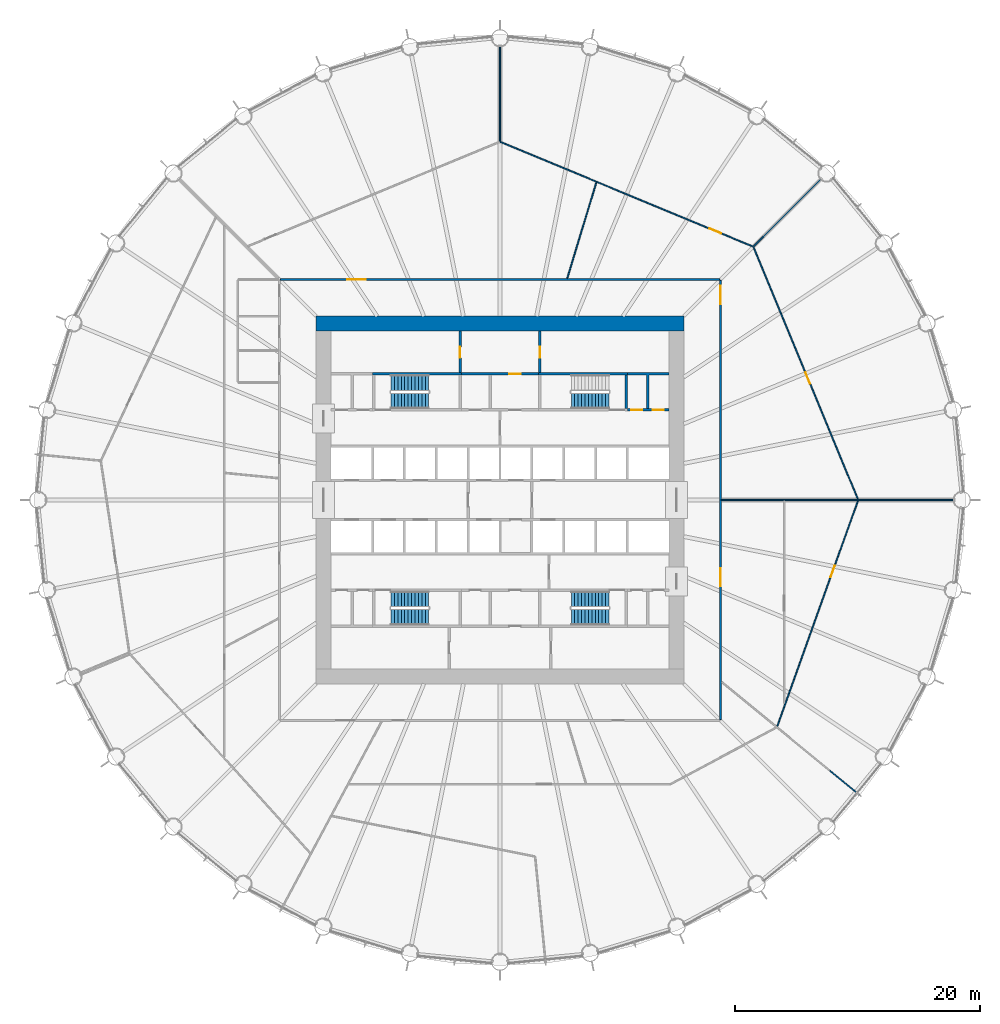
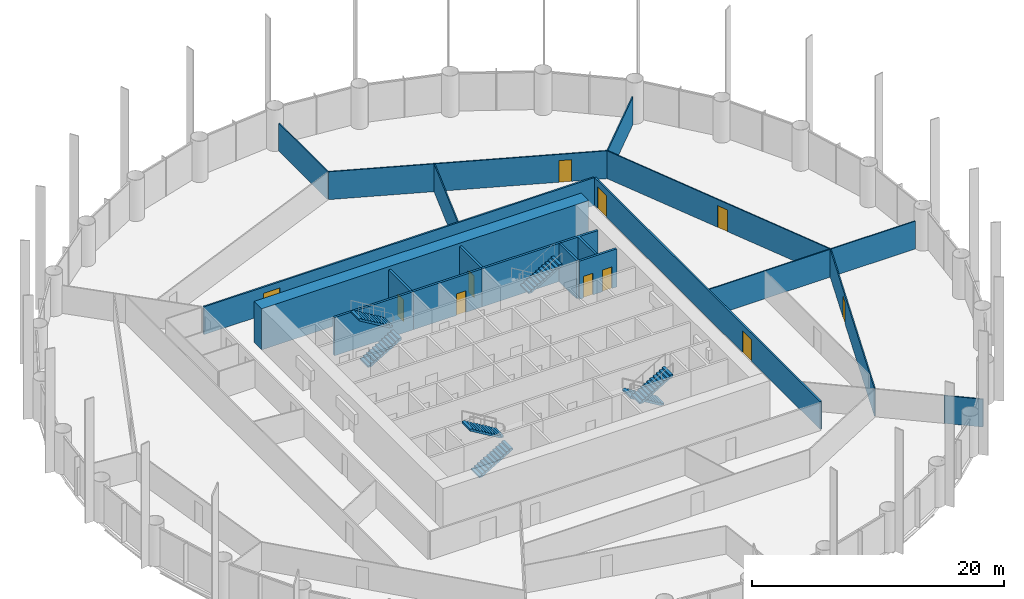
# One storey, part 12 of 15: 19 walls, 11 doors, 7 stair flights, 11 openings, 4 elements without a shape of their own.
"""IFC4 building model written with IfcOpenShell, lengths in metres."""

from ifc_helpers import new_model, si_unit, direction, frame, frame_2d, origin, place, context, subcontext, project, spatial, polyline, rectangle, outline, extrude, material, layer, layer_set, type_object, element, fill, aggregate, save


model = new_model("IFC4")

# Units and contexts
model_context = context("Model", 3, precision=1e-05, world=origin(), true_north=direction((0.0, 1.0)))
body_context = subcontext(model_context, "Body", "Model", "MODEL_VIEW")
ifc_project = project(units=[si_unit("LENGTHUNIT", "METRE"), si_unit("AREAUNIT", "SQUARE_METRE"), si_unit("VOLUMEUNIT", "CUBIC_METRE"), si_unit("PLANEANGLEUNIT", "RADIAN"), si_unit("MASSUNIT", "GRAM", prefix="KILO")], contexts=[model_context])

# Site, building, storey
site_placement = place(None, origin())
site = spatial("IfcSite", under=ifc_project, at=site_placement, CompositionType="ELEMENT")
building_placement = place(site_placement, origin())
building = spatial("IfcBuilding", under=site, at=building_placement, Name="Corvane Civic Tower", CompositionType="ELEMENT")
storey_placement = place(building_placement, frame((0.0, 0.0, 65.0)))
storey = spatial("IfcBuildingStorey", under=building, at=storey_placement, Name="L14", CompositionType="ELEMENT", Elevation=65.0)

# Wall
ifc_material_1 = material(Name="Concrete C80/95", Category="concrete")
ifc_layer_1 = layer(ifc_material_1, 1.199951171875)
ifc_layer_set_1 = layer_set([ifc_layer_1], Name="Concrete C80/95")
wall_type_1 = type_object("IfcWallType", Name="CORE WALL 1200 C80/95", PredefinedType="SHEAR", material=ifc_layer_set_1)
wall_1_placement = place(storey_placement, frame((-15.0, 14.39990234375, 0.0), z_axis=(0.0, 0.0, 1.0), x_axis=(1.0, 0.0, 0.0)))
element("IfcWall", 1, at=wall_1_placement, inside=storey, type_object=wall_type_1, Name="W-L14-core-N", PredefinedType="SHEAR", context=body_context, shape_type="SweptSolid", body=[
    extrude(rectangle(XDim=30.0, YDim=1.199951171875, at=frame_2d((15.0, 0.0))), origin(), (0.0, 0.0, 1.0), 4.0),
])

# Wall, openings, doors
ifc_material_2 = material(Name="Concrete C30/37", Category="concrete")
ifc_layer_2 = layer(ifc_material_2, 0.199951171875)
ifc_layer_set_2 = layer_set([ifc_layer_2], Name="Concrete C30/37")
wall_type_2 = type_object("IfcWallType", Name="CR-WALL-200", PredefinedType="PARTITIONING", material=ifc_layer_set_2)
wall_2_placement = place(storey_placement, frame((10.39990234375, 7.35009765625, 0.0), z_axis=(0.0, 0.0, 1.0), x_axis=(1.0, 0.0, 0.0)))
wall_2 = element("IfcWall", 2, at=wall_2_placement, inside=storey, type_object=wall_type_2, Name="L14 core partition wall", PredefinedType="PARTITIONING", context=body_context, shape_type="SweptSolid", body=[
    extrude(rectangle(XDim=3.400146484375, YDim=0.199951171875, at=frame_2d((1.7001953125, 0.0))), origin(), (0.0, 0.0, 1.0), 3.699951171875),
])
opening_1_placement = place(wall_2_placement, frame((0.324951171875, 0.0, 0.0)))
opening_1 = element("IfcOpeningElement", 3, at=opening_1_placement, cuts=wall_2, Name="Opening L14.C16", PredefinedType="OPENING", context=body_context, shape_type="SweptSolid", body=[
    extrude(rectangle(XDim=0.89990234375, YDim=2.10009765625, at=frame_2d((0.449951171875, 1.050048828125))), frame((0.0, 0.10986328125, 0.0), z_axis=(0.0, -1.0, 0.0), x_axis=(1.0, 0.0, 0.0)), (0.0, 0.0, 1.0), 0.219970703125),
])
opening_2_placement = place(wall_2_placement, frame((2.074951171875, 0.0, 0.0)))
opening_2 = element("IfcOpeningElement", 4, at=opening_2_placement, cuts=wall_2, Name="Opening L14.C17", PredefinedType="OPENING", context=body_context, shape_type="SweptSolid", body=[
    extrude(rectangle(XDim=0.89990234375, YDim=2.10009765625, at=frame_2d((0.449951171875, 1.050048828125))), frame((0.0, 0.10986328125, 0.0), z_axis=(0.0, -1.0, 0.0), x_axis=(1.0, 0.0, 0.0)), (0.0, 0.0, 1.0), 0.219970703125),
])
ifc_material_3 = material(Name="Steel fire door leaf", Category="steel")
door_type_1 = type_object("IfcDoorType", Name="CR-DOOR-900", OperationType="SINGLE_SWING_LEFT", PredefinedType="DOOR", material=ifc_material_3)
door_1_placement = place(opening_1_placement, origin())
door_1 = element("IfcDoor", 5, at=door_1_placement, inside=storey, type_object=door_type_1, Name="L14 door", OperationType="SINGLE_SWING_LEFT", OverallHeight=2.10009765625, OverallWidth=0.89990234375, PredefinedType="DOOR", context=body_context, shape_type="SweptSolid", body=[
    extrude(rectangle(XDim=0.89990234375, YDim=2.10009765625, at=frame_2d((0.449951171875, 1.050048828125))), frame((0.0, 0.02490234375, 0.0), z_axis=(0.0, -1.0, 0.0), x_axis=(1.0, 0.0, 0.0)), (0.0, 0.0, 1.0), 0.050048828125),
])
fill(opening_1, door_1)
door_2_placement = place(opening_2_placement, origin())
door_2 = element("IfcDoor", 6, at=door_2_placement, inside=storey, type_object=door_type_1, Name="L14 door", OperationType="SINGLE_SWING_LEFT", OverallHeight=2.10009765625, OverallWidth=0.89990234375, PredefinedType="DOOR", context=body_context, shape_type="SweptSolid", body=[
    extrude(rectangle(XDim=0.89990234375, YDim=2.10009765625, at=frame_2d((0.449951171875, 1.050048828125))), frame((0.0, 0.02490234375, 0.0), z_axis=(0.0, -1.0, 0.0), x_axis=(1.0, 0.0, 0.0)), (0.0, 0.0, 1.0), 0.050048828125),
])
fill(opening_2, door_2)

# Wall, opening, door
wall_3_placement = place(storey_placement, frame((-3.14990234375, 10.300048828125, 0.0), z_axis=(0.0, 0.0, 1.0), x_axis=(1.0, 0.0, 0.0)))
wall_3 = element("IfcWall", 7, at=wall_3_placement, inside=storey, type_object=wall_type_2, Name="L14 partition wall", PredefinedType="PARTITIONING", context=body_context, shape_type="SweptSolid", body=[
    extrude(rectangle(XDim=6.2998046875, YDim=0.199951171875, at=frame_2d((3.14990234375, 0.0))), origin(), (0.0, 0.0, 1.0), 3.699951171875),
])
opening_3_placement = place(wall_3_placement, frame((3.925048828125, 0.0, 0.0)))
opening_3 = element("IfcOpeningElement", 8, at=opening_3_placement, cuts=wall_3, Name="Opening L14.C07", PredefinedType="OPENING", context=body_context, shape_type="SweptSolid", body=[
    extrude(rectangle(XDim=0.89990234375, YDim=2.10009765625, at=frame_2d((0.449951171875, 1.050048828125))), frame((0.0, 0.10986328125, 0.0), z_axis=(0.0, -1.0, 0.0), x_axis=(1.0, 0.0, 0.0)), (0.0, 0.0, 1.0), 0.219970703125),
])
door_3_placement = place(opening_3_placement, origin())
door_3 = element("IfcDoor", 9, at=door_3_placement, inside=storey, type_object=door_type_1, Name="L14 door", OperationType="SINGLE_SWING_LEFT", OverallHeight=2.10009765625, OverallWidth=0.89990234375, PredefinedType="DOOR", context=body_context, shape_type="SweptSolid", body=[
    extrude(rectangle(XDim=0.89990234375, YDim=2.10009765625, at=frame_2d((0.449951171875, 1.050048828125))), frame((0.0, 0.02490234375, 0.0), z_axis=(0.0, -1.0, 0.0), x_axis=(1.0, 0.0, 0.0)), (0.0, 0.0, 1.0), 0.050048828125),
])
fill(opening_3, door_3)

wall_4_placement = place(storey_placement, frame((-3.25, 10.39990234375, 0.0), z_axis=(0.0, 0.0, 1.0), x_axis=(0.0, 1.0, 0.0)))
wall_4 = element("IfcWall", 10, at=wall_4_placement, inside=storey, type_object=wall_type_2, Name="L14 partition wall", PredefinedType="PARTITIONING", context=body_context, shape_type="SweptSolid", body=[
    extrude(rectangle(XDim=3.400146484375, YDim=0.199951171875, at=frame_2d((1.7001953125, 0.0))), origin(), (0.0, 0.0, 1.0), 3.699951171875),
])
opening_4_placement = place(wall_4_placement, frame((1.199951171875, 0.0, 0.0)))
opening_4 = element("IfcOpeningElement", 11, at=opening_4_placement, cuts=wall_4, Name="Opening L14.C06", PredefinedType="OPENING", context=body_context, shape_type="SweptSolid", body=[
    extrude(rectangle(XDim=0.89990234375, YDim=2.10009765625, at=frame_2d((0.449951171875, 1.050048828125))), frame((0.0, 0.10986328125, 0.0), z_axis=(0.0, -1.0, 0.0), x_axis=(1.0, 0.0, 0.0)), (0.0, 0.0, 1.0), 0.219970703125),
])
door_4_placement = place(opening_4_placement, origin())
door_4 = element("IfcDoor", 12, at=door_4_placement, inside=storey, type_object=door_type_1, Name="L14 door", OperationType="SINGLE_SWING_LEFT", OverallHeight=2.10009765625, OverallWidth=0.89990234375, PredefinedType="DOOR", context=body_context, shape_type="SweptSolid", body=[
    extrude(rectangle(XDim=0.89990234375, YDim=2.10009765625, at=frame_2d((0.449951171875, 1.050048828125))), frame((0.0, 0.02490234375, 0.0), z_axis=(0.0, -1.0, 0.0), x_axis=(1.0, 0.0, 0.0)), (0.0, 0.0, 1.0), 0.050048828125),
])
fill(opening_4, door_4)

wall_5_placement = place(storey_placement, frame((3.25, 10.39990234375, 0.0), z_axis=(0.0, 0.0, 1.0), x_axis=(0.0, 1.0, 0.0)))
wall_5 = element("IfcWall", 13, at=wall_5_placement, inside=storey, type_object=wall_type_2, Name="L14 partition wall", PredefinedType="PARTITIONING", context=body_context, shape_type="SweptSolid", body=[
    extrude(rectangle(XDim=3.400146484375, YDim=0.199951171875, at=frame_2d((1.7001953125, 0.0))), origin(), (0.0, 0.0, 1.0), 3.699951171875),
])
opening_5_placement = place(wall_5_placement, frame((1.199951171875, 0.0, 0.0)))
opening_5 = element("IfcOpeningElement", 14, at=opening_5_placement, cuts=wall_5, Name="Opening L14.C08", PredefinedType="OPENING", context=body_context, shape_type="SweptSolid", body=[
    extrude(rectangle(XDim=0.89990234375, YDim=2.10009765625, at=frame_2d((0.449951171875, 1.050048828125))), frame((0.0, 0.10986328125, 0.0), z_axis=(0.0, -1.0, 0.0), x_axis=(1.0, 0.0, 0.0)), (0.0, 0.0, 1.0), 0.219970703125),
])
door_5_placement = place(opening_5_placement, origin())
door_5 = element("IfcDoor", 15, at=door_5_placement, inside=storey, type_object=door_type_1, Name="L14 door", OperationType="SINGLE_SWING_LEFT", OverallHeight=2.10009765625, OverallWidth=0.89990234375, PredefinedType="DOOR", context=body_context, shape_type="SweptSolid", body=[
    extrude(rectangle(XDim=0.89990234375, YDim=2.10009765625, at=frame_2d((0.449951171875, 1.050048828125))), frame((0.0, 0.02490234375, 0.0), z_axis=(0.0, -1.0, 0.0), x_axis=(1.0, 0.0, 0.0)), (0.0, 0.0, 1.0), 0.050048828125),
])
fill(opening_5, door_5)

# Walls
wall_6_placement = place(storey_placement, origin())
element("IfcWall", 16, at=wall_6_placement, inside=storey, type_object=wall_type_2, Name="L14 core partition wall", PredefinedType="PARTITIONING", context=body_context, shape_type="SweptSolid", body=[
    extrude(outline(polyline([(13.800048828125, 10.39990234375), (13.800048828125, 10.199951171875), (12.14990234375, 10.199951171875), (12.14990234375, 7.449951171875), (11.949951171875, 7.449951171875), (11.949951171875, 10.199951171875), (10.39990234375, 10.199951171875), (10.39990234375, 10.39990234375), (13.800048828125, 10.39990234375)])), origin(), (0.0, 0.0, 1.0), 3.699951171875),
])
ifc_material_4 = material(Name="Plasterboard")
ifc_layer_3 = layer(ifc_material_4, 0.10009765625)
ifc_layer_set_3 = layer_set([ifc_layer_3], Name="Plasterboard")
wall_type_3 = type_object("IfcWallType", Name="Partition 100 plasterboard on studs", PredefinedType="PARTITIONING", material=ifc_layer_set_3)
wall_7_placement = place(storey_placement, frame((26.934814453125, -22.104736328125, 0.0), z_axis=(0.0, 0.0, 1.0), x_axis=(0.773024942362, -0.634375628856, 0.0)))
element("IfcWall", 17, at=wall_7_placement, inside=storey, type_object=wall_type_3, Name="Partition L14.005", PredefinedType="PARTITIONING", context=body_context, shape_type="SweptSolid", body=[
    extrude(rectangle(XDim=3.106201171875, YDim=0.10009765625, at=frame_2d((1.55322265625, 0.0))), origin(), (0.0, 0.0, 1.0), 2.699951171875),
])

# Wall, opening, door
wall_8_placement = place(storey_placement, frame((22.62646484375, -18.482666015625, 0.0), z_axis=(0.0, 0.0, 1.0), x_axis=(0.336893799743, 0.941542653147, 0.0)))
wall_8 = element("IfcWall", 18, at=wall_8_placement, inside=storey, type_object=wall_type_3, Name="Partition L14.011", PredefinedType="PARTITIONING", context=body_context, shape_type="SweptSolid", body=[
    extrude(rectangle(XDim=19.55908203125, YDim=0.10009765625, at=frame_2d((9.779541015625, 0.0))), origin(), (0.0, 0.0, 1.0), 2.699951171875),
])
opening_6_placement = place(wall_8_placement, frame((12.93701171875, 0.0, 0.0)))
opening_6 = element("IfcOpeningElement", 19, at=opening_6_placement, cuts=wall_8, Name="Opening L14.001", PredefinedType="OPENING", context=body_context, shape_type="SweptSolid", body=[
    extrude(rectangle(XDim=1.0, YDim=2.10009765625, at=frame_2d((0.5, 1.050048828125))), frame((0.0, 0.06005859375, 0.0), z_axis=(0.0, -1.0, 0.0), x_axis=(1.0, 0.0, 0.0)), (0.0, 0.0, 1.0), 0.1201171875),
])
ifc_material_5 = material(Name="Timber", Category="wood")
door_type_2 = type_object("IfcDoorType", Name="Single door 1000", OperationType="NOTDEFINED", PredefinedType="DOOR", material=ifc_material_5)
door_6_placement = place(opening_6_placement, frame((1.0, 0.0, 0.0), z_axis=(0.0, 0.0, 1.0), x_axis=(-1.0, 0.0, 0.0)))
door_6 = element("IfcDoor", 20, at=door_6_placement, inside=storey, type_object=door_type_2, Name="Door L14.001", OperationType="SINGLE_SWING_LEFT", OverallHeight=2.10009765625, OverallWidth=1.0, PredefinedType="DOOR", context=body_context, shape_type="SweptSolid", body=[
    extrude(rectangle(XDim=1.0, YDim=2.10009765625, at=frame_2d((0.5, 1.050048828125))), frame((0.0, 0.02490234375, 0.0), z_axis=(0.0, -1.0, 0.0), x_axis=(1.0, 0.0, 0.0)), (0.0, 0.0, 1.0), 0.050048828125),
])
fill(opening_6, door_6)

# Wall
wall_9_placement = place(storey_placement, frame((18.074951171875, 0.0, 0.0), z_axis=(0.0, 0.0, 1.0), x_axis=(1.0, 0.0, 0.0)))
element("IfcWall", 21, at=wall_9_placement, inside=storey, type_object=wall_type_3, Name="Partition L14.019", PredefinedType="PARTITIONING", context=body_context, shape_type="SweptSolid", body=[
    extrude(rectangle(XDim=18.9150390625, YDim=0.10009765625, at=frame_2d((9.45751953125, 0.0))), origin(), (0.0, 0.0, 1.0), 2.699951171875),
])

# Wall, opening, door
wall_10_placement = place(storey_placement, frame((20.6884765625, 20.644775390625, 0.0), z_axis=(0.0, 0.0, 1.0), x_axis=(0.382682584539, -0.923879883692, 0.0)))
wall_10 = element("IfcWall", 22, at=wall_10_placement, inside=storey, type_object=wall_type_3, Name="Partition L14.020", PredefinedType="PARTITIONING", context=body_context, shape_type="SweptSolid", body=[
    extrude(rectangle(XDim=22.27099609375, YDim=0.10009765625, at=frame_2d((11.135498046875, 0.0))), origin(), (0.0, 0.0, 1.0), 2.699951171875),
])
opening_7_placement = place(wall_10_placement, frame((11.07177734375, 0.0, 0.0)))
opening_7 = element("IfcOpeningElement", 23, at=opening_7_placement, cuts=wall_10, Name="Opening L14.020", PredefinedType="OPENING", context=body_context, shape_type="SweptSolid", body=[
    extrude(rectangle(XDim=1.0, YDim=2.10009765625, at=frame_2d((0.5, 1.050048828125))), frame((0.0, 0.06005859375, 0.0), z_axis=(0.0, -1.0, 0.0), x_axis=(1.0, 0.0, 0.0)), (0.0, 0.0, 1.0), 0.1201171875),
])
door_7_placement = place(opening_7_placement, origin())
door_7 = element("IfcDoor", 24, at=door_7_placement, inside=storey, type_object=door_type_2, Name="Door L14.020", OperationType="SINGLE_SWING_RIGHT", OverallHeight=2.10009765625, OverallWidth=1.0, PredefinedType="DOOR", context=body_context, shape_type="SweptSolid", body=[
    extrude(rectangle(XDim=1.0, YDim=2.10009765625, at=frame_2d((0.5, 1.050048828125))), frame((0.0, 0.02490234375, 0.0), z_axis=(0.0, -1.0, 0.0), x_axis=(1.0, 0.0, 0.0)), (0.0, 0.0, 1.0), 0.050048828125),
])
fill(opening_7, door_7)

# Wall
wall_11_placement = place(storey_placement, frame((5.4873046875, 18.089599609375, 0.0), z_axis=(0.0, 0.0, 1.0), x_axis=(0.290307025947, 0.956933556045, 0.0)))
element("IfcWall", 25, at=wall_11_placement, inside=storey, type_object=wall_type_3, Name="Partition L14.031", PredefinedType="PARTITIONING", context=body_context, shape_type="SweptSolid", body=[
    extrude(rectangle(XDim=8.18603515625, YDim=0.10009765625, at=frame_2d((4.093017578125, 0.0))), origin(), (0.0, 0.0, 1.0), 2.699951171875),
])

# Wall, opening, door
wall_12_placement = place(storey_placement, frame((0.031005859375, 29.22705078125, 0.0), z_axis=(0.0, 0.0, 1.0), x_axis=(0.923878402591, -0.382686160222, 0.0)))
wall_12 = element("IfcWall", 26, at=wall_12_placement, inside=storey, type_object=wall_type_3, Name="Partition L14.032", PredefinedType="PARTITIONING", context=body_context, shape_type="SweptSolid", body=[
    extrude(rectangle(XDim=22.312255859375, YDim=0.10009765625, at=frame_2d((11.15625, 0.0))), origin(), (0.0, 0.0, 1.0), 2.699951171875),
])
opening_8_placement = place(wall_12_placement, frame((18.4853515625, 0.0, 0.0)))
opening_8 = element("IfcOpeningElement", 27, at=opening_8_placement, cuts=wall_12, Name="Opening L14.019", PredefinedType="OPENING", context=body_context, shape_type="SweptSolid", body=[
    extrude(rectangle(XDim=1.0, YDim=2.10009765625, at=frame_2d((0.5, 1.050048828125))), frame((0.0, 0.06005859375, 0.0), z_axis=(0.0, -1.0, 0.0), x_axis=(1.0, 0.0, 0.0)), (0.0, 0.0, 1.0), 0.1201171875),
])
door_8_placement = place(opening_8_placement, origin())
door_8 = element("IfcDoor", 28, at=door_8_placement, inside=storey, type_object=door_type_2, Name="Door L14.019", OperationType="SINGLE_SWING_LEFT", OverallHeight=2.10009765625, OverallWidth=1.0, PredefinedType="DOOR", context=body_context, shape_type="SweptSolid", body=[
    extrude(rectangle(XDim=1.0, YDim=2.10009765625, at=frame_2d((0.5, 1.050048828125))), frame((0.0, 0.02490234375, 0.0), z_axis=(0.0, -1.0, 0.0), x_axis=(1.0, 0.0, 0.0)), (0.0, 0.0, 1.0), 0.050048828125),
])
fill(opening_8, door_8)

# Walls
wall_13_placement = place(storey_placement, frame((20.69921875, 20.69921875, 0.0), z_axis=(0.0, 0.0, 1.0), x_axis=(0.707106781187, 0.707106781187, 0.0)))
element("IfcWall", 29, at=wall_13_placement, inside=storey, type_object=wall_type_3, Name="Partition L14.034", PredefinedType="PARTITIONING", context=body_context, shape_type="SweptSolid", body=[
    extrude(rectangle(XDim=7.717041015625, YDim=0.10009765625, at=frame_2d((3.8583984375, 0.0))), origin(), (0.0, 0.0, 1.0), 2.699951171875),
])
wall_14_placement = place(storey_placement, frame((0.0, 29.273193359375, 0.0), z_axis=(0.0, 0.0, 1.0), x_axis=(0.0, 1.0, 0.0)))
element("IfcWall", 30, at=wall_14_placement, inside=storey, type_object=wall_type_3, Name="Partition L14.035", PredefinedType="PARTITIONING", context=body_context, shape_type="SweptSolid", body=[
    extrude(rectangle(XDim=7.716796875, YDim=0.10009765625, at=frame_2d((3.8583984375, 0.0))), origin(), (0.0, 0.0, 1.0), 2.699951171875),
])
ifc_material_6 = material(Name="Concrete C50/60", Category="concrete")
ifc_layer_4 = layer(ifc_material_6, 0.199951171875)
ifc_layer_set_4 = layer_set([ifc_layer_4], Name="Concrete C50/60")
wall_type_4 = type_object("IfcWallType", Name="ST-WALL-200", PredefinedType="SHEAR", material=ifc_layer_set_4)
wall_15_placement = place(storey_placement, origin())
element("IfcWall", 31, at=wall_15_placement, inside=storey, type_object=wall_type_4, Name="L14 stair enclosure wall", PredefinedType="SHEAR", context=body_context, shape_type="SweptSolid", body=[
    extrude(outline(polyline([(-3.14990234375, 10.199951171875), (-10.39990234375, 10.199951171875), (-10.39990234375, 10.39990234375), (-3.14990234375, 10.39990234375), (-3.14990234375, 10.199951171875)])), origin(), (0.0, 0.0, 1.0), 3.699951171875),
])
wall_16_placement = place(storey_placement, origin())
element("IfcWall", 32, at=wall_16_placement, inside=storey, type_object=wall_type_4, Name="L14 stair enclosure wall", PredefinedType="SHEAR", context=body_context, shape_type="SweptSolid", body=[
    extrude(outline(polyline([(10.39990234375, 10.199951171875), (3.14990234375, 10.199951171875), (3.14990234375, 10.39990234375), (10.39990234375, 10.39990234375), (10.39990234375, 10.199951171875)])), origin(), (0.0, 0.0, 1.0), 3.699951171875),
])
wall_17_placement = place(storey_placement, origin())
element("IfcWall", 33, at=wall_17_placement, inside=storey, type_object=wall_type_4, Name="L14 stair enclosure wall", PredefinedType="SHEAR", context=body_context, shape_type="SweptSolid", body=[
    extrude(outline(polyline([(10.39990234375, 7.449951171875), (10.199951171875, 7.449951171875), (10.199951171875, 10.199951171875), (10.39990234375, 10.199951171875), (10.39990234375, 7.449951171875)])), origin(), (0.0, 0.0, 1.0), 3.699951171875),
])

# Wall, openings, doors
ifc_material_7 = material(Name="Plasterboard")
ifc_layer_5 = layer(ifc_material_7, 0.14990234375)
ifc_layer_set_5 = layer_set([ifc_layer_5], Name="Plasterboard")
wall_type_5 = type_object("IfcWallType", Name="Tenancy wall 150 EI 60", PredefinedType="PARTITIONING", material=ifc_layer_set_5)
wall_18_placement = place(storey_placement, frame((18.0, -17.925048828125, 0.0), z_axis=(0.0, 0.0, 1.0), x_axis=(0.0, 1.0, 0.0)))
wall_18 = element("IfcWall", 34, at=wall_18_placement, inside=storey, type_object=wall_type_5, Name="Partition L14.014", PredefinedType="PARTITIONING", context=body_context, shape_type="SweptSolid", body=[
    extrude(rectangle(XDim=35.85009765625, YDim=0.14990234375, at=frame_2d((17.925048828125, 0.0))), origin(), (0.0, 0.0, 1.0), 2.699951171875),
])
opening_9_placement = place(wall_18_placement, frame((10.866455078125, 0.0, 0.0)))
opening_9 = element("IfcOpeningElement", 35, at=opening_9_placement, cuts=wall_18, Name="Opening L14.005", PredefinedType="OPENING", context=body_context, shape_type="SweptSolid", body=[
    extrude(rectangle(XDim=1.5, YDim=2.10009765625, at=frame_2d((0.75, 1.050048828125))), frame((0.0, 0.0849609375, 0.0), z_axis=(0.0, -1.0, 0.0), x_axis=(1.0, 0.0, 0.0)), (0.0, 0.0, 1.0), 0.169921875),
])
opening_10_placement = place(wall_18_placement, frame((33.91845703125, 0.0, 0.0)))
opening_10 = element("IfcOpeningElement", 36, at=opening_10_placement, cuts=wall_18, Name="Opening L14.022", PredefinedType="OPENING", context=body_context, shape_type="SweptSolid", body=[
    extrude(rectangle(XDim=1.5, YDim=2.10009765625, at=frame_2d((0.75, 1.050048828125))), frame((0.0, 0.0849609375, 0.0), z_axis=(0.0, -1.0, 0.0), x_axis=(1.0, 0.0, 0.0)), (0.0, 0.0, 1.0), 0.169921875),
])
ifc_material_8 = material(Name="Steel and timber", Category="steel")
door_type_3 = type_object("IfcDoorType", Name="Fire door FD60 double 1500", OperationType="NOTDEFINED", PredefinedType="DOOR", material=ifc_material_8)
door_9_placement = place(opening_9_placement, frame((1.5, 0.0, 0.0), z_axis=(0.0, 0.0, 1.0), x_axis=(-1.0, 0.0, 0.0)))
door_9 = element("IfcDoor", 37, at=door_9_placement, inside=storey, type_object=door_type_3, Name="Door L14.005", OperationType="DOUBLE_DOOR_SINGLE_SWING", OverallHeight=2.10009765625, OverallWidth=1.5, PredefinedType="DOOR", context=body_context, shape_type="SweptSolid", body=[
    extrude(rectangle(XDim=1.5, YDim=2.10009765625, at=frame_2d((0.75, 1.050048828125))), frame((0.0, 0.02490234375, 0.0), z_axis=(0.0, -1.0, 0.0), x_axis=(1.0, 0.0, 0.0)), (0.0, 0.0, 1.0), 0.050048828125),
])
fill(opening_9, door_9)
door_10_placement = place(opening_10_placement, frame((1.5, 0.0, 0.0), z_axis=(0.0, 0.0, 1.0), x_axis=(-1.0, 0.0, 0.0)))
door_10 = element("IfcDoor", 38, at=door_10_placement, inside=storey, type_object=door_type_3, Name="Door L14.022", OperationType="DOUBLE_DOOR_SINGLE_SWING", OverallHeight=2.10009765625, OverallWidth=1.5, PredefinedType="DOOR", context=body_context, shape_type="SweptSolid", body=[
    extrude(rectangle(XDim=1.5, YDim=2.10009765625, at=frame_2d((0.75, 1.050048828125))), frame((0.0, 0.02490234375, 0.0), z_axis=(0.0, -1.0, 0.0), x_axis=(1.0, 0.0, 0.0)), (0.0, 0.0, 1.0), 0.050048828125),
])
fill(opening_10, door_10)

# Wall, opening, door
wall_19_placement = place(storey_placement, frame((-17.925048828125, 18.0, 0.0), z_axis=(0.0, 0.0, 1.0), x_axis=(1.0, 0.0, 0.0)))
wall_19 = element("IfcWall", 39, at=wall_19_placement, inside=storey, type_object=wall_type_5, Name="Partition L14.029", PredefinedType="PARTITIONING", context=body_context, shape_type="SweptSolid", body=[
    extrude(rectangle(XDim=35.85009765625, YDim=0.14990234375, at=frame_2d((17.925048828125, 0.0))), origin(), (0.0, 0.0, 1.0), 2.699951171875),
])
opening_11_placement = place(wall_19_placement, frame((5.470947265625, 0.0, 0.0)))
opening_11 = element("IfcOpeningElement", 40, at=opening_11_placement, cuts=wall_19, Name="Opening L14.021", PredefinedType="OPENING", context=body_context, shape_type="SweptSolid", body=[
    extrude(rectangle(XDim=1.5, YDim=2.10009765625, at=frame_2d((0.75, 1.050048828125))), frame((0.0, 0.0849609375, 0.0), z_axis=(0.0, -1.0, 0.0), x_axis=(1.0, 0.0, 0.0)), (0.0, 0.0, 1.0), 0.169921875),
])
door_11_placement = place(opening_11_placement, origin())
door_11 = element("IfcDoor", 41, at=door_11_placement, inside=storey, type_object=door_type_3, Name="Door L14.021", OperationType="DOUBLE_DOOR_SINGLE_SWING", OverallHeight=2.10009765625, OverallWidth=1.5, PredefinedType="DOOR", context=body_context, shape_type="SweptSolid", body=[
    extrude(rectangle(XDim=1.5, YDim=2.10009765625, at=frame_2d((0.75, 1.050048828125))), frame((0.0, 0.02490234375, 0.0), z_axis=(0.0, -1.0, 0.0), x_axis=(1.0, 0.0, 0.0)), (0.0, 0.0, 1.0), 0.050048828125),
])
fill(opening_11, door_11)

# Stair, stair flight
ifc_material_9 = material(Name="Concrete C40/50", Category="concrete")
stair_type = type_object("IfcStairType", Name="ST-STAIR-HALFTURN", PredefinedType="HALF_TURN_STAIR", material=ifc_material_9)
stair_1_placement = place(storey_placement, origin())
stair_1 = element("IfcStair", 42, at=stair_1_placement, inside=storey, type_object=stair_type, Name="L14 Exit stair ST1", PredefinedType="HALF_TURN_STAIR")
ifc_material_10 = material(Name="Concrete C40/50", Category="concrete")
stair_flight_type = type_object("IfcStairFlightType", Name="ST-FLIGHT-RC", PredefinedType="STRAIGHT", material=ifc_material_10)
stair_flight_1_placement = place(storey_placement, frame((5.820068359375, 8.10009765625, 2.0), z_axis=(0.0, 0.0, 1.0), x_axis=(1.0, 0.0, 0.0)))
stair_flight_1 = element("IfcStairFlight", 43, at=stair_flight_1_placement, type_object=stair_flight_type, Name="ST1 flight 2", NumberOfRisers=12, NumberOfTreads=11, PredefinedType="STRAIGHT", RiserHeight=0.166666667, TreadLength=0.28, context=body_context, shape_type="SweptSolid", body=[
    extrude(outline(polyline([(0.0, 0.0), (0.0, 0.166748046875), (0.280029296875, 0.166748046875), (0.280029296875, 0.333251953125), (0.56005859375, 0.333251953125), (0.56005859375, 0.5), (0.840087890625, 0.5), (0.840087890625, 0.666748046875), (1.1201171875, 0.666748046875), (1.1201171875, 0.833251953125), (1.39990234375, 0.833251953125), (1.39990234375, 1.0), (1.679931640625, 1.0), (1.679931640625, 1.166748046875), (1.9599609375, 1.166748046875), (1.9599609375, 1.333251953125), (2.239990234375, 1.333251953125), (2.239990234375, 1.5), (2.52001953125, 1.5), (2.52001953125, 1.666748046875), (2.800048828125, 1.666748046875), (2.800048828125, 1.833251953125), (3.080078125, 1.833251953125), (3.080078125, 2.0), (3.080078125, 1.658935546875), (0.29296875, 0.0), (0.0, 0.0)])), frame((0.0, 0.64990234375, 0.0), z_axis=(0.0, -1.0, 0.0), x_axis=(1.0, 0.0, 0.0)), (0.0, 0.0, 1.0), 1.300048828125),
])
aggregate(stair_1, [stair_flight_1])

# Stair, stair flights
stair_2_placement = place(storey_placement, origin())
stair_2 = element("IfcStair", 44, at=stair_2_placement, inside=storey, type_object=stair_type, Name="L14 Exit stair ST2", PredefinedType="HALF_TURN_STAIR")
stair_flight_2_placement = place(storey_placement, frame((8.89990234375, -8.10009765625, 0.0), z_axis=(0.0, 0.0, 1.0), x_axis=(-1.0, 0.0, 0.0)))
stair_flight_2 = element("IfcStairFlight", 45, at=stair_flight_2_placement, type_object=stair_flight_type, Name="ST2 flight 1", NumberOfRisers=12, NumberOfTreads=11, PredefinedType="STRAIGHT", RiserHeight=0.166666667, TreadLength=0.28, context=body_context, shape_type="SweptSolid", body=[
    extrude(outline(polyline([(0.0, 0.0), (0.0, 0.166748046875), (0.280029296875, 0.166748046875), (0.280029296875, 0.333251953125), (0.56005859375, 0.333251953125), (0.56005859375, 0.5), (0.840087890625, 0.5), (0.840087890625, 0.666748046875), (1.1201171875, 0.666748046875), (1.1201171875, 0.833251953125), (1.39990234375, 0.833251953125), (1.39990234375, 1.0), (1.679931640625, 1.0), (1.679931640625, 1.166748046875), (1.9599609375, 1.166748046875), (1.9599609375, 1.333251953125), (2.239990234375, 1.333251953125), (2.239990234375, 1.5), (2.52001953125, 1.5), (2.52001953125, 1.666748046875), (2.800048828125, 1.666748046875), (2.800048828125, 1.833251953125), (3.080078125, 1.833251953125), (3.080078125, 2.0), (3.080078125, 1.658935546875), (0.29296875, 0.0), (0.0, 0.0)])), frame((0.0, 0.64990234375, 0.0), z_axis=(0.0, -1.0, 0.0), x_axis=(1.0, 0.0, 0.0)), (0.0, 0.0, 1.0), 1.300048828125),
])
stair_flight_3_placement = place(storey_placement, frame((5.820068359375, -9.550048828125, 2.0), z_axis=(0.0, 0.0, 1.0), x_axis=(1.0, 0.0, 0.0)))
stair_flight_3 = element("IfcStairFlight", 46, at=stair_flight_3_placement, type_object=stair_flight_type, Name="ST2 flight 2", NumberOfRisers=12, NumberOfTreads=11, PredefinedType="STRAIGHT", RiserHeight=0.166666667, TreadLength=0.28, context=body_context, shape_type="SweptSolid", body=[
    extrude(outline(polyline([(0.0, 0.0), (0.0, 0.166748046875), (0.280029296875, 0.166748046875), (0.280029296875, 0.333251953125), (0.56005859375, 0.333251953125), (0.56005859375, 0.5), (0.840087890625, 0.5), (0.840087890625, 0.666748046875), (1.1201171875, 0.666748046875), (1.1201171875, 0.833251953125), (1.39990234375, 0.833251953125), (1.39990234375, 1.0), (1.679931640625, 1.0), (1.679931640625, 1.166748046875), (1.9599609375, 1.166748046875), (1.9599609375, 1.333251953125), (2.239990234375, 1.333251953125), (2.239990234375, 1.5), (2.52001953125, 1.5), (2.52001953125, 1.666748046875), (2.800048828125, 1.666748046875), (2.800048828125, 1.833251953125), (3.080078125, 1.833251953125), (3.080078125, 2.0), (3.080078125, 1.658935546875), (0.29296875, 0.0), (0.0, 0.0)])), frame((0.0, 0.64990234375, 0.0), z_axis=(0.0, -1.0, 0.0), x_axis=(1.0, 0.0, 0.0)), (0.0, 0.0, 1.0), 1.300048828125),
])
aggregate(stair_2, [stair_flight_2, stair_flight_3])

stair_3_placement = place(storey_placement, origin())
stair_3 = element("IfcStair", 47, at=stair_3_placement, inside=storey, type_object=stair_type, Name="L14 Exit stair ST3", PredefinedType="HALF_TURN_STAIR")
stair_flight_4_placement = place(storey_placement, frame((-8.89990234375, -9.550048828125, 0.0), z_axis=(0.0, 0.0, 1.0), x_axis=(1.0, 0.0, 0.0)))
stair_flight_4 = element("IfcStairFlight", 48, at=stair_flight_4_placement, type_object=stair_flight_type, Name="ST3 flight 1", NumberOfRisers=12, NumberOfTreads=11, PredefinedType="STRAIGHT", RiserHeight=0.166666667, TreadLength=0.28, context=body_context, shape_type="SweptSolid", body=[
    extrude(outline(polyline([(0.0, 0.0), (0.0, 0.166748046875), (0.280029296875, 0.166748046875), (0.280029296875, 0.333251953125), (0.56005859375, 0.333251953125), (0.56005859375, 0.5), (0.840087890625, 0.5), (0.840087890625, 0.666748046875), (1.1201171875, 0.666748046875), (1.1201171875, 0.833251953125), (1.39990234375, 0.833251953125), (1.39990234375, 1.0), (1.679931640625, 1.0), (1.679931640625, 1.166748046875), (1.9599609375, 1.166748046875), (1.9599609375, 1.333251953125), (2.239990234375, 1.333251953125), (2.239990234375, 1.5), (2.52001953125, 1.5), (2.52001953125, 1.666748046875), (2.800048828125, 1.666748046875), (2.800048828125, 1.833251953125), (3.080078125, 1.833251953125), (3.080078125, 2.0), (3.080078125, 1.658935546875), (0.29296875, 0.0), (0.0, 0.0)])), frame((0.0, 0.64990234375, 0.0), z_axis=(0.0, -1.0, 0.0), x_axis=(1.0, 0.0, 0.0)), (0.0, 0.0, 1.0), 1.300048828125),
])
stair_flight_5_placement = place(storey_placement, frame((-5.820068359375, -8.10009765625, 2.0), z_axis=(0.0, 0.0, 1.0), x_axis=(-1.0, 0.0, 0.0)))
stair_flight_5 = element("IfcStairFlight", 49, at=stair_flight_5_placement, type_object=stair_flight_type, Name="ST3 flight 2", NumberOfRisers=12, NumberOfTreads=11, PredefinedType="STRAIGHT", RiserHeight=0.166666667, TreadLength=0.28, context=body_context, shape_type="SweptSolid", body=[
    extrude(outline(polyline([(0.0, 0.0), (0.0, 0.166748046875), (0.280029296875, 0.166748046875), (0.280029296875, 0.333251953125), (0.56005859375, 0.333251953125), (0.56005859375, 0.5), (0.840087890625, 0.5), (0.840087890625, 0.666748046875), (1.1201171875, 0.666748046875), (1.1201171875, 0.833251953125), (1.39990234375, 0.833251953125), (1.39990234375, 1.0), (1.679931640625, 1.0), (1.679931640625, 1.166748046875), (1.9599609375, 1.166748046875), (1.9599609375, 1.333251953125), (2.239990234375, 1.333251953125), (2.239990234375, 1.5), (2.52001953125, 1.5), (2.52001953125, 1.666748046875), (2.800048828125, 1.666748046875), (2.800048828125, 1.833251953125), (3.080078125, 1.833251953125), (3.080078125, 2.0), (3.080078125, 1.658935546875), (0.29296875, 0.0), (0.0, 0.0)])), frame((0.0, 0.64990234375, 0.0), z_axis=(0.0, -1.0, 0.0), x_axis=(1.0, 0.0, 0.0)), (0.0, 0.0, 1.0), 1.300048828125),
])
aggregate(stair_3, [stair_flight_4, stair_flight_5])

stair_4_placement = place(storey_placement, origin())
stair_4 = element("IfcStair", 50, at=stair_4_placement, inside=storey, type_object=stair_type, Name="L14 Exit stair ST4", PredefinedType="HALF_TURN_STAIR")
stair_flight_6_placement = place(storey_placement, frame((-8.89990234375, 8.10009765625, 0.0), z_axis=(0.0, 0.0, 1.0), x_axis=(1.0, 0.0, 0.0)))
stair_flight_6 = element("IfcStairFlight", 51, at=stair_flight_6_placement, type_object=stair_flight_type, Name="ST4 flight 1", NumberOfRisers=12, NumberOfTreads=11, PredefinedType="STRAIGHT", RiserHeight=0.166666667, TreadLength=0.28, context=body_context, shape_type="SweptSolid", body=[
    extrude(outline(polyline([(0.0, 0.0), (0.0, 0.166748046875), (0.280029296875, 0.166748046875), (0.280029296875, 0.333251953125), (0.56005859375, 0.333251953125), (0.56005859375, 0.5), (0.840087890625, 0.5), (0.840087890625, 0.666748046875), (1.1201171875, 0.666748046875), (1.1201171875, 0.833251953125), (1.39990234375, 0.833251953125), (1.39990234375, 1.0), (1.679931640625, 1.0), (1.679931640625, 1.166748046875), (1.9599609375, 1.166748046875), (1.9599609375, 1.333251953125), (2.239990234375, 1.333251953125), (2.239990234375, 1.5), (2.52001953125, 1.5), (2.52001953125, 1.666748046875), (2.800048828125, 1.666748046875), (2.800048828125, 1.833251953125), (3.080078125, 1.833251953125), (3.080078125, 2.0), (3.080078125, 1.658935546875), (0.29296875, 0.0), (0.0, 0.0)])), frame((0.0, 0.64990234375, 0.0), z_axis=(0.0, -1.0, 0.0), x_axis=(1.0, 0.0, 0.0)), (0.0, 0.0, 1.0), 1.300048828125),
])
stair_flight_7_placement = place(storey_placement, frame((-5.820068359375, 9.550048828125, 2.0), z_axis=(0.0, 0.0, 1.0), x_axis=(-1.0, 0.0, 0.0)))
stair_flight_7 = element("IfcStairFlight", 52, at=stair_flight_7_placement, type_object=stair_flight_type, Name="ST4 flight 2", NumberOfRisers=12, NumberOfTreads=11, PredefinedType="STRAIGHT", RiserHeight=0.166666667, TreadLength=0.28, context=body_context, shape_type="SweptSolid", body=[
    extrude(outline(polyline([(0.0, 0.0), (0.0, 0.166748046875), (0.280029296875, 0.166748046875), (0.280029296875, 0.333251953125), (0.56005859375, 0.333251953125), (0.56005859375, 0.5), (0.840087890625, 0.5), (0.840087890625, 0.666748046875), (1.1201171875, 0.666748046875), (1.1201171875, 0.833251953125), (1.39990234375, 0.833251953125), (1.39990234375, 1.0), (1.679931640625, 1.0), (1.679931640625, 1.166748046875), (1.9599609375, 1.166748046875), (1.9599609375, 1.333251953125), (2.239990234375, 1.333251953125), (2.239990234375, 1.5), (2.52001953125, 1.5), (2.52001953125, 1.666748046875), (2.800048828125, 1.666748046875), (2.800048828125, 1.833251953125), (3.080078125, 1.833251953125), (3.080078125, 2.0), (3.080078125, 1.658935546875), (0.29296875, 0.0), (0.0, 0.0)])), frame((0.0, 0.64990234375, 0.0), z_axis=(0.0, -1.0, 0.0), x_axis=(1.0, 0.0, 0.0)), (0.0, 0.0, 1.0), 1.300048828125),
])
aggregate(stair_4, [stair_flight_6, stair_flight_7])

save(model, "model.ifc")
